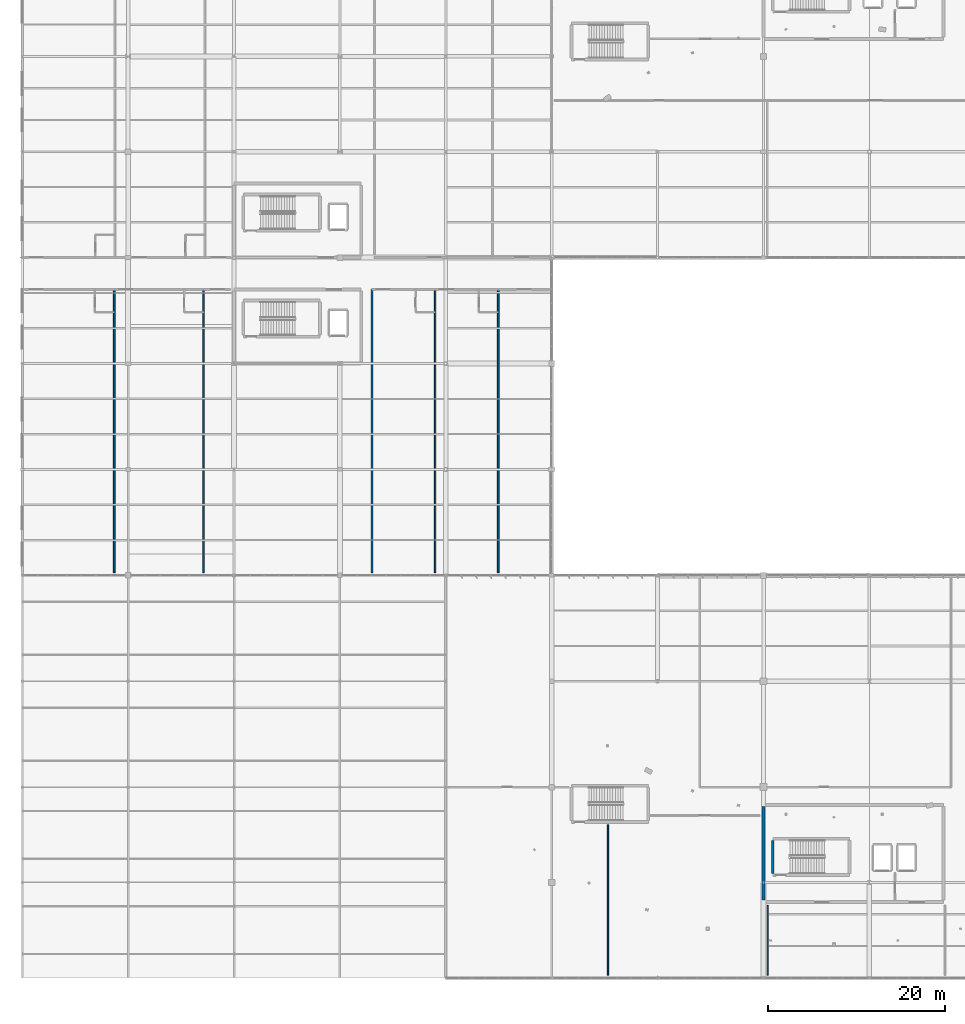
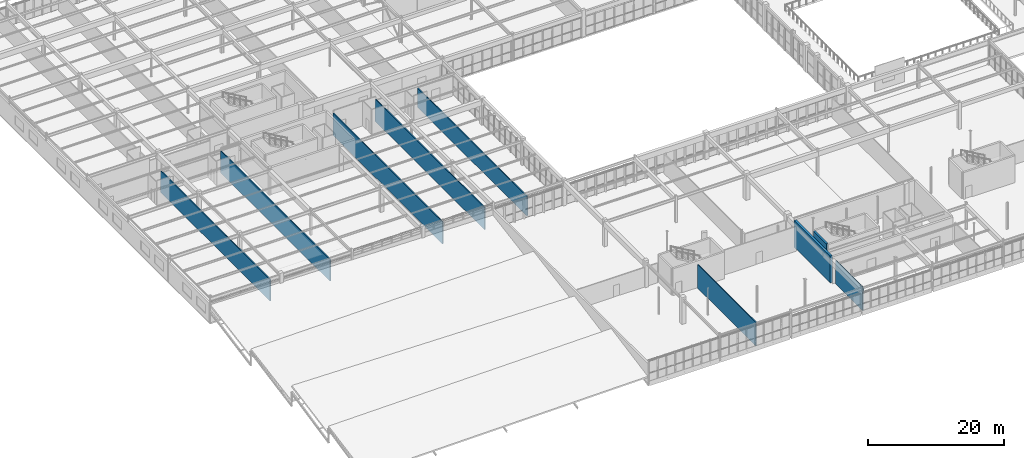
# One storey, part 190 of 226: 9 walls.
"""IFC4 building model written with IfcOpenShell, lengths in metres."""

from ifc_helpers import new_model, si_unit, direction, frame, frame_2d, origin, place, context, subcontext, project, spatial, rectangle, extrude, material, layer, layer_set, type_object, element, save


model = new_model("IFC4")

# Units and contexts
model_context = context("Model", 3, precision=1e-05, world=origin(), true_north=direction((0.0, 1.0)))
body_context = subcontext(model_context, "Body", "Model", "MODEL_VIEW")
ifc_project = project(units=[si_unit("LENGTHUNIT", "METRE"), si_unit("AREAUNIT", "SQUARE_METRE"), si_unit("VOLUMEUNIT", "CUBIC_METRE"), si_unit("PLANEANGLEUNIT", "RADIAN"), si_unit("MASSUNIT", "GRAM", prefix="KILO")], contexts=[model_context])

# Site, building, storey
site_placement = place(None, origin())
site = spatial("IfcSite", under=ifc_project, at=site_placement, CompositionType="ELEMENT")
building_placement = place(site_placement, origin())
building = spatial("IfcBuilding", under=site, at=building_placement, Name="Tarnwether General Hospital", CompositionType="ELEMENT")
storey_placement = place(building_placement, frame((0.0, 0.0, 4.800048828125)))
storey = spatial("IfcBuildingStorey", under=building, at=storey_placement, Name="L01", CompositionType="ELEMENT", Elevation=4.800048828125)

# Walls
ifc_material_1 = material(Name="Gypsum plasterboard")
ifc_layer_1 = layer(ifc_material_1, 0.139892578125)
ifc_layer_set_1 = layer_set([ifc_layer_1], Name="Gypsum plasterboard")
wall_type_1 = type_object("IfcWallType", Name="WL-PT140", PredefinedType="PARTITIONING", material=ifc_layer_set_1)
wall_1_placement = place(storey_placement, frame((66.386962890625, 0.300048828125, 0.0), z_axis=(0.0, 0.0, 1.0), x_axis=(0.0, 1.0, 0.0)))
element("IfcWall", 1, at=wall_1_placement, inside=storey, type_object=wall_type_1, Name="Interior Partition PT-L01-0205", PredefinedType="PARTITIONING", context=body_context, shape_type="SweptSolid", body=[
    extrude(rectangle(XDim=17.050048828125, YDim=0.139892578125, at=frame_2d((8.52490234375, 0.0))), origin(), (0.0, 0.0, 1.0), 4.22802734375),
])
wall_2_placement = place(storey_placement, frame((84.472900390625, 0.300048828125, 0.0), z_axis=(0.0, 0.0, 1.0), x_axis=(0.0, 1.0, 0.0)))
element("IfcWall", 2, at=wall_2_placement, inside=storey, type_object=wall_type_1, Name="Interior Partition PT-L01-0207", PredefinedType="PARTITIONING", context=body_context, shape_type="SweptSolid", body=[
    extrude(rectangle(XDim=7.89990234375, YDim=0.139892578125, at=frame_2d((3.949951171875, 0.0))), origin(), (0.0, 0.0, 1.0), 4.174072265625),
])
ifc_material_2 = material(Name="Gypsum plasterboard")
ifc_layer_2 = layer(ifc_material_2, 0.179931640625)
ifc_layer_set_2 = layer_set([ifc_layer_2], Name="Gypsum plasterboard")
wall_type_2 = type_object("IfcWallType", Name="WL-PT180", PredefinedType="PARTITIONING", material=ifc_layer_set_2)
wall_3_placement = place(storey_placement, frame((10.431884765625, 45.89990234375, 0.0), z_axis=(0.0, 0.0, 1.0), x_axis=(0.0, 1.0, 0.0)))
element("IfcWall", 3, at=wall_3_placement, inside=storey, type_object=wall_type_2, Name="Interior Partition PT-L01-0166", PredefinedType="PARTITIONING", context=body_context, shape_type="SweptSolid", body=[
    extrude(rectangle(XDim=32.10009765625, YDim=0.179931640625, at=frame_2d((16.050048828125, 0.0))), origin(), (0.0, 0.0, 1.0), 3.822998046875),
])
wall_4_placement = place(storey_placement, frame((20.56396484375, 45.89990234375, 0.0), z_axis=(0.0, 0.0, 1.0), x_axis=(0.0, 1.0, 0.0)))
element("IfcWall", 4, at=wall_4_placement, inside=storey, type_object=wall_type_2, Name="Interior Partition PT-L01-0170", PredefinedType="PARTITIONING", context=body_context, shape_type="SweptSolid", body=[
    extrude(rectangle(XDim=32.10009765625, YDim=0.179931640625, at=frame_2d((16.050048828125, 0.0))), origin(), (0.0, 0.0, 1.0), 3.886962890625),
])
for number, where, z_axis, x_axis, name in (
    (5, (39.635009765625, 45.89990234375, 0.0), (0.0, 0.0, 1.0), (0.0, 1.0, 0.0), "Interior Partition PT-L01-0172"),
    (6, (46.787109375, 45.89990234375, 0.0), (0.0, 0.0, 1.0), (0.0, 1.0, 0.0), "Interior Partition PT-L01-0176"),
):
    element("IfcWall", number, at=place(storey_placement, frame(where, z_axis=z_axis, x_axis=x_axis)), inside=storey, type_object=wall_type_2, Name=name, PredefinedType="PARTITIONING", context=body_context, shape_type="SweptSolid", body=[
        extrude(rectangle(XDim=32.10009765625, YDim=0.179931640625, at=frame_2d((16.050048828125, 0.0))), origin(), (0.0, 0.0, 1.0), 3.9580078125),
    ])
wall_5_placement = place(storey_placement, frame((53.93896484375, 45.89990234375, 0.0), z_axis=(0.0, 0.0, 1.0), x_axis=(0.0, 1.0, 0.0)))
element("IfcWall", 7, at=wall_5_placement, inside=storey, type_object=wall_type_2, Name="Interior Partition PT-L01-0180", PredefinedType="PARTITIONING", context=body_context, shape_type="SweptSolid", body=[
    extrude(rectangle(XDim=32.10009765625, YDim=0.179931640625, at=frame_2d((16.050048828125, 0.0))), origin(), (0.0, 0.0, 1.0), 3.46484375),
])
ifc_material_3 = material(Name="Concrete 50 MPa", Category="concrete")
ifc_layer_3 = layer(ifc_material_3, 0.300048828125)
ifc_layer_set_3 = layer_set([ifc_layer_3], Name="Concrete 50 MPa")
wall_type_3 = type_object("IfcWallType", Name="WL-SW300", PredefinedType="SHEAR", material=ifc_layer_set_3)
wall_6_placement = place(storey_placement, frame((85.050048828125, 11.820068359375, 0.0), z_axis=(0.0, 0.0, 1.0), x_axis=(0.0, 1.0, 0.0)))
element("IfcWall", 8, at=wall_6_placement, inside=storey, type_object=wall_type_3, Name="Stairwell Shear Wall STW-ST-02-L01-L", PredefinedType="SHEAR", context=body_context, shape_type="SweptSolid", body=[
    extrude(rectangle(XDim=3.760009765625, YDim=0.300048828125, at=frame_2d((1.8798828125, 0.0))), origin(), (0.0, 0.0, 1.0), 4.800048828125),
])
ifc_material_4 = material(Name="Concrete 50 MPa", Category="concrete")
ifc_layer_4 = layer(ifc_material_4, 0.35009765625)
ifc_layer_set_4 = layer_set([ifc_layer_4], Name="Concrete 50 MPa")
wall_type_4 = type_object("IfcWallType", Name="WL-SW350", PredefinedType="SHEAR", material=ifc_layer_set_4)
wall_7_placement = place(storey_placement, frame((84.0, 8.800048828125, 0.0), z_axis=(0.0, 0.0, 1.0), x_axis=(0.0, 1.0, 0.0)))
element("IfcWall", 9, at=wall_7_placement, inside=storey, type_object=wall_type_4, Name="Core Shear Wall CWALL-K2-L01-W", PredefinedType="SHEAR", context=body_context, shape_type="SweptSolid", body=[
    extrude(rectangle(XDim=10.599853515625, YDim=0.35009765625, at=frame_2d((5.2998046875, 0.0))), origin(), (0.0, 0.0, 1.0), 4.800048828125),
])

save(model, "model.ifc")
